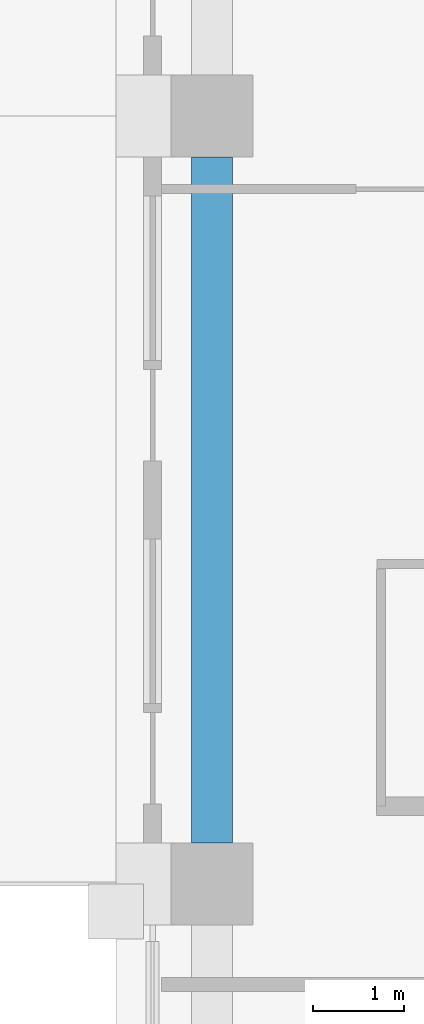
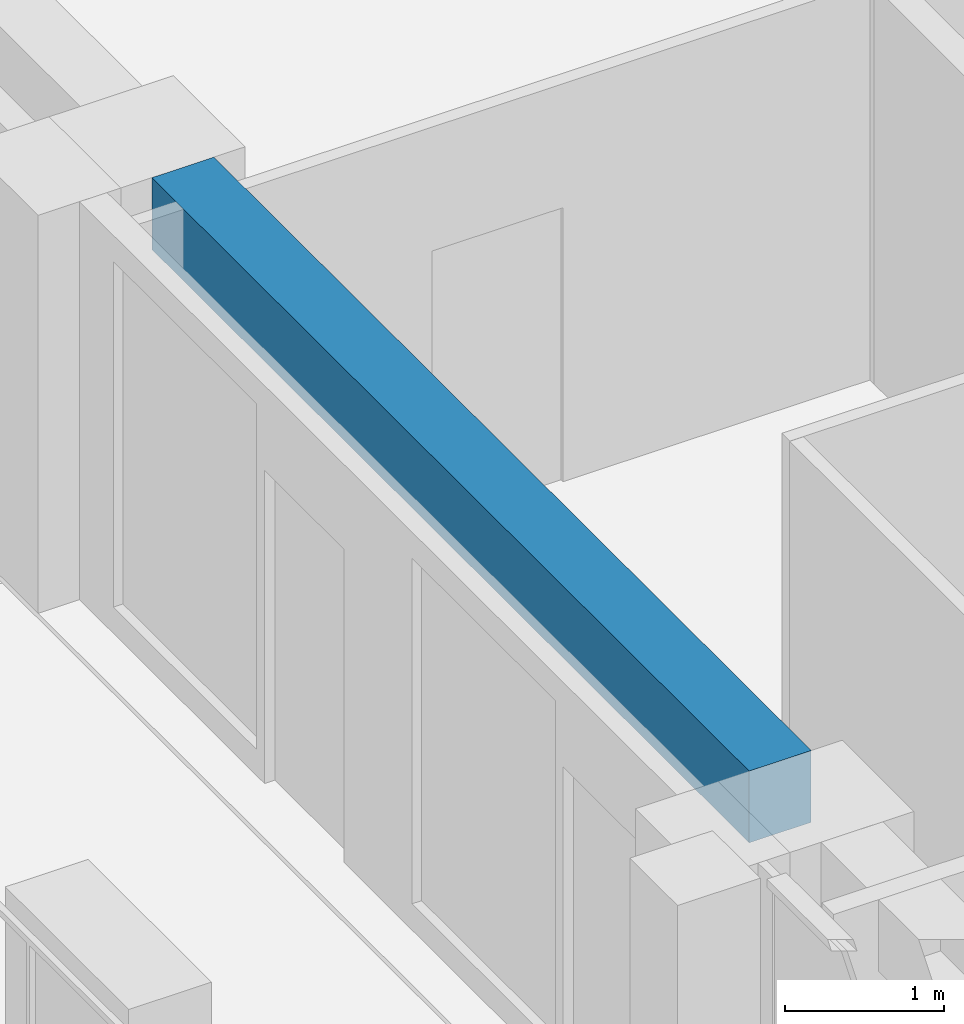
# One storey, part 3 of 16: 1 beam.
"""IFC4 building model written with IfcOpenShell, lengths in metres."""

from ifc_helpers import new_model, si_unit, direction, frame, origin, origin_2d, place, context, subcontext, project, spatial, rectangle, extrude, material, material_profile, profile_set, type_object, element, save


model = new_model("IFC4")

# Units and contexts
model_context = context("Model", 3, precision=1e-05, world=origin(), true_north=direction((0.0, 1.0)))
body_context = subcontext(model_context, "Body", "Model", "MODEL_VIEW")
ifc_project = project(units=[si_unit("LENGTHUNIT", "METRE"), si_unit("AREAUNIT", "SQUARE_METRE"), si_unit("VOLUMEUNIT", "CUBIC_METRE"), si_unit("PLANEANGLEUNIT", "RADIAN"), si_unit("MASSUNIT", "GRAM", prefix="KILO")], contexts=[model_context])

# Site, building, storey
site_placement = place(None, origin())
site = spatial("IfcSite", under=ifc_project, at=site_placement, CompositionType="ELEMENT")
building_placement = place(site_placement, origin())
building = spatial("IfcBuilding", under=site, at=building_placement, Name="Vermilion Ogive Tower", CompositionType="ELEMENT")
storey_placement = place(building_placement, frame((0.0, 0.0, 251.050048828125)))
storey = spatial("IfcBuildingStorey", under=building, at=storey_placement, Name="L66", CompositionType="ELEMENT", Elevation=251.050048828125)

# Beam
ifc_material = material(Name="Concrete B45", Category="concrete")
ifc_material_profile = material_profile(ifc_material, rectangle(XDim=0.449951171875, YDim=0.550048828125, at=origin_2d()), Name="450 x 550")
ifc_profile_set = profile_set([ifc_material_profile], Name="Concrete B45")
beam_type = type_object("IfcBeamType", Name="Edge beam 450 x 550 B45", PredefinedType="BEAM", material=ifc_profile_set)
beam_placement = place(storey_placement, frame((-25.199951171875, 3.75, 2.77490234375), z_axis=(0.0, -1.0, 0.0), x_axis=(1.0, 0.0, 0.0)))
element("IfcBeam", 1, at=beam_placement, inside=storey, type_object=beam_type, Name="L66-EB-15", PredefinedType="BEAM", context=body_context, shape_type="SweptSolid", body=[
    extrude(rectangle(XDim=0.449951171875, YDim=0.550048828125, at=origin_2d()), origin(), (0.0, 0.0, 1.0), 7.5),
])

save(model, "model.ifc")
